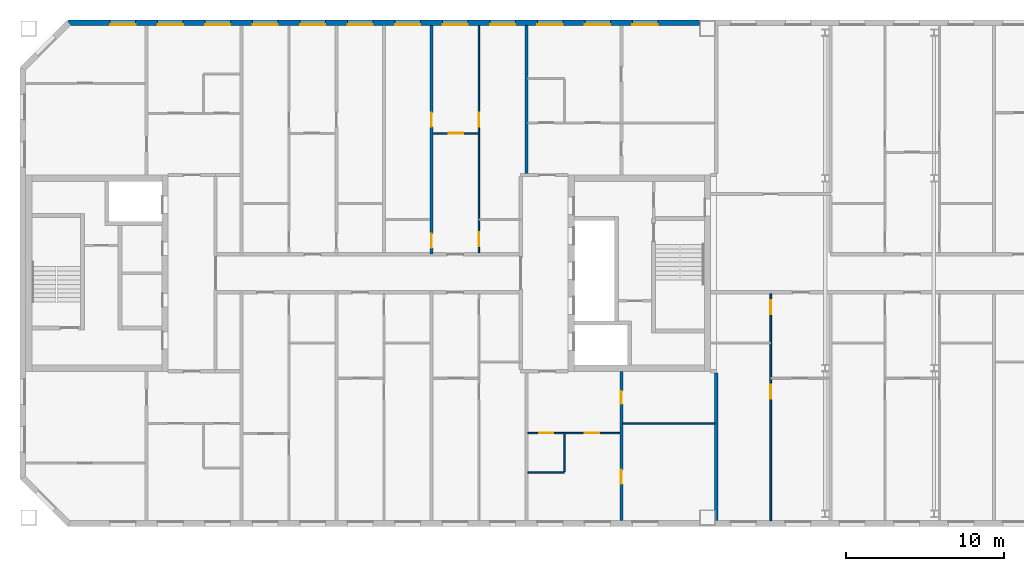
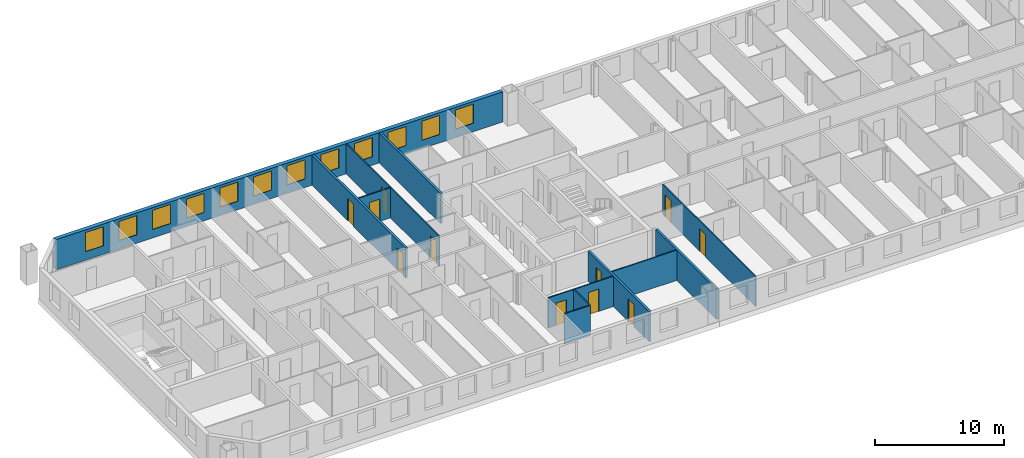
# One storey, part 7 of 19: 12 walls, 12 windows, 11 doors, 23 openings.
"""IFC4 building model written with IfcOpenShell, lengths in metres."""

from ifc_helpers import new_model, si_unit, direction, frame, frame_2d, origin, place, context, subcontext, project, spatial, rectangle, extrude, material, layer, layer_set, type_object, element, fill, save


model = new_model("IFC4")

# Units and contexts
model_context = context("Model", 3, precision=1e-05, world=origin(), true_north=direction((0.0, 1.0)))
body_context = subcontext(model_context, "Body", "Model", "MODEL_VIEW")
ifc_project = project(units=[si_unit("LENGTHUNIT", "METRE"), si_unit("AREAUNIT", "SQUARE_METRE"), si_unit("VOLUMEUNIT", "CUBIC_METRE"), si_unit("PLANEANGLEUNIT", "RADIAN"), si_unit("MASSUNIT", "GRAM", prefix="KILO")], contexts=[model_context])

# Site, building, storey
site_placement = place(None, origin())
site = spatial("IfcSite", under=ifc_project, at=site_placement, CompositionType="ELEMENT")
building_placement = place(site_placement, origin())
building = spatial("IfcBuilding", under=site, at=building_placement, Name="Tuart Gate Housing", CompositionType="ELEMENT")
storey_placement = place(building_placement, frame((0.0, 0.0, 202.800048828125)))
storey = spatial("IfcBuildingStorey", under=building, at=storey_placement, Name="L57", CompositionType="ELEMENT", Elevation=202.800048828125)

# Wall, openings, windows
ifc_material_1 = material(Name="Brick", Category="masonry")
ifc_layer_1 = layer(ifc_material_1, 0.360107421875)
ifc_layer_set_1 = layer_set([ifc_layer_1], Name="Brick pier and spandrel wall 360")
wall_type_1 = type_object("IfcWallType", Name="Brick pier and spandrel wall 360", PredefinedType="STANDARD", material=ifc_layer_set_1)
wall_1_placement = place(storey_placement, frame((74.949951171875, 85.820068359375, 0.0), z_axis=(0.0, 0.0, 1.0), x_axis=(-1.0, 0.0, 0.0)))
wall_1 = element("IfcWall", 1, at=wall_1_placement, inside=storey, type_object=wall_type_1, Name="External wall BLK-N L57", PredefinedType="STANDARD", context=body_context, shape_type="SweptSolid", body=[
    extrude(rectangle(XDim=39.87548828125, YDim=0.360107421875, at=frame_2d((19.937744140625, 0.0))), origin(), (0.0, 0.0, 1.0), 2.849853515625),
])
opening_1_placement = place(wall_1_placement, frame((2.64990234375, 0.0, 0.800048828125)))
opening_1 = element("IfcOpeningElement", 2, at=opening_1_placement, cuts=wall_1, Name="Opening W1", PredefinedType="OPENING", context=body_context, shape_type="SweptSolid", body=[
    extrude(rectangle(XDim=1.60009765625, YDim=1.800048828125, at=frame_2d((0.800048828125, 0.89990234375))), frame((0.0, 0.18994140625, 0.0), z_axis=(0.0, -1.0, 0.0), x_axis=(1.0, 0.0, 0.0)), (0.0, 0.0, 1.0), 0.380126953125),
])
opening_2_placement = place(wall_1_placement, frame((5.64990234375, 0.0, 0.800048828125)))
opening_2 = element("IfcOpeningElement", 3, at=opening_2_placement, cuts=wall_1, Name="Opening W1", PredefinedType="OPENING", context=body_context, shape_type="SweptSolid", body=[
    extrude(rectangle(XDim=1.60009765625, YDim=1.800048828125, at=frame_2d((0.800048828125, 0.89990234375))), frame((0.0, 0.18994140625, 0.0), z_axis=(0.0, -1.0, 0.0), x_axis=(1.0, 0.0, 0.0)), (0.0, 0.0, 1.0), 0.380126953125),
])
opening_3_placement = place(wall_1_placement, frame((8.64990234375, 0.0, 0.800048828125)))
opening_3 = element("IfcOpeningElement", 4, at=opening_3_placement, cuts=wall_1, Name="Opening W1", PredefinedType="OPENING", context=body_context, shape_type="SweptSolid", body=[
    extrude(rectangle(XDim=1.60009765625, YDim=1.800048828125, at=frame_2d((0.800048828125, 0.89990234375))), frame((0.0, 0.18994140625, 0.0), z_axis=(0.0, -1.0, 0.0), x_axis=(1.0, 0.0, 0.0)), (0.0, 0.0, 1.0), 0.380126953125),
])
opening_4_placement = place(wall_1_placement, frame((11.64990234375, 0.0, 0.800048828125)))
opening_4 = element("IfcOpeningElement", 5, at=opening_4_placement, cuts=wall_1, Name="Opening W1", PredefinedType="OPENING", context=body_context, shape_type="SweptSolid", body=[
    extrude(rectangle(XDim=1.60009765625, YDim=1.800048828125, at=frame_2d((0.800048828125, 0.89990234375))), frame((0.0, 0.18994140625, 0.0), z_axis=(0.0, -1.0, 0.0), x_axis=(1.0, 0.0, 0.0)), (0.0, 0.0, 1.0), 0.380126953125),
])
opening_5_placement = place(wall_1_placement, frame((14.64990234375, 0.0, 0.800048828125)))
opening_5 = element("IfcOpeningElement", 6, at=opening_5_placement, cuts=wall_1, Name="Opening W1", PredefinedType="OPENING", context=body_context, shape_type="SweptSolid", body=[
    extrude(rectangle(XDim=1.60009765625, YDim=1.800048828125, at=frame_2d((0.800048828125, 0.89990234375))), frame((0.0, 0.18994140625, 0.0), z_axis=(0.0, -1.0, 0.0), x_axis=(1.0, 0.0, 0.0)), (0.0, 0.0, 1.0), 0.380126953125),
])
opening_6_placement = place(wall_1_placement, frame((17.64990234375, 0.0, 0.800048828125)))
opening_6 = element("IfcOpeningElement", 7, at=opening_6_placement, cuts=wall_1, Name="Opening W1", PredefinedType="OPENING", context=body_context, shape_type="SweptSolid", body=[
    extrude(rectangle(XDim=1.60009765625, YDim=1.800048828125, at=frame_2d((0.800048828125, 0.89990234375))), frame((0.0, 0.18994140625, 0.0), z_axis=(0.0, -1.0, 0.0), x_axis=(1.0, 0.0, 0.0)), (0.0, 0.0, 1.0), 0.380126953125),
])
opening_7_placement = place(wall_1_placement, frame((20.64990234375, 0.0, 0.800048828125)))
opening_7 = element("IfcOpeningElement", 8, at=opening_7_placement, cuts=wall_1, Name="Opening W1", PredefinedType="OPENING", context=body_context, shape_type="SweptSolid", body=[
    extrude(rectangle(XDim=1.60009765625, YDim=1.800048828125, at=frame_2d((0.800048828125, 0.89990234375))), frame((0.0, 0.18994140625, 0.0), z_axis=(0.0, -1.0, 0.0), x_axis=(1.0, 0.0, 0.0)), (0.0, 0.0, 1.0), 0.380126953125),
])
opening_8_placement = place(wall_1_placement, frame((23.64990234375, 0.0, 0.800048828125)))
opening_8 = element("IfcOpeningElement", 9, at=opening_8_placement, cuts=wall_1, Name="Opening W1", PredefinedType="OPENING", context=body_context, shape_type="SweptSolid", body=[
    extrude(rectangle(XDim=1.60009765625, YDim=1.800048828125, at=frame_2d((0.800048828125, 0.89990234375))), frame((0.0, 0.18994140625, 0.0), z_axis=(0.0, -1.0, 0.0), x_axis=(1.0, 0.0, 0.0)), (0.0, 0.0, 1.0), 0.380126953125),
])
opening_9_placement = place(wall_1_placement, frame((26.64990234375, 0.0, 0.800048828125)))
opening_9 = element("IfcOpeningElement", 10, at=opening_9_placement, cuts=wall_1, Name="Opening W1", PredefinedType="OPENING", context=body_context, shape_type="SweptSolid", body=[
    extrude(rectangle(XDim=1.60009765625, YDim=1.800048828125, at=frame_2d((0.800048828125, 0.89990234375))), frame((0.0, 0.18994140625, 0.0), z_axis=(0.0, -1.0, 0.0), x_axis=(1.0, 0.0, 0.0)), (0.0, 0.0, 1.0), 0.380126953125),
])
opening_10_placement = place(wall_1_placement, frame((29.64990234375, 0.0, 0.800048828125)))
opening_10 = element("IfcOpeningElement", 11, at=opening_10_placement, cuts=wall_1, Name="Opening W1", PredefinedType="OPENING", context=body_context, shape_type="SweptSolid", body=[
    extrude(rectangle(XDim=1.60009765625, YDim=1.800048828125, at=frame_2d((0.800048828125, 0.89990234375))), frame((0.0, 0.18994140625, 0.0), z_axis=(0.0, -1.0, 0.0), x_axis=(1.0, 0.0, 0.0)), (0.0, 0.0, 1.0), 0.380126953125),
])
opening_11_placement = place(wall_1_placement, frame((32.64990234375, 0.0, 0.800048828125)))
opening_11 = element("IfcOpeningElement", 12, at=opening_11_placement, cuts=wall_1, Name="Opening W1", PredefinedType="OPENING", context=body_context, shape_type="SweptSolid", body=[
    extrude(rectangle(XDim=1.60009765625, YDim=1.800048828125, at=frame_2d((0.800048828125, 0.89990234375))), frame((0.0, 0.18994140625, 0.0), z_axis=(0.0, -1.0, 0.0), x_axis=(1.0, 0.0, 0.0)), (0.0, 0.0, 1.0), 0.380126953125),
])
opening_12_placement = place(wall_1_placement, frame((35.64990234375, 0.0, 0.800048828125)))
opening_12 = element("IfcOpeningElement", 13, at=opening_12_placement, cuts=wall_1, Name="Opening W1", PredefinedType="OPENING", context=body_context, shape_type="SweptSolid", body=[
    extrude(rectangle(XDim=1.60009765625, YDim=1.800048828125, at=frame_2d((0.800048828125, 0.89990234375))), frame((0.0, 0.18994140625, 0.0), z_axis=(0.0, -1.0, 0.0), x_axis=(1.0, 0.0, 0.0)), (0.0, 0.0, 1.0), 0.380126953125),
])
ifc_material_2 = material(Name="Aluminium frame with clear glass", Category="aluminium")
window_type = type_object("IfcWindowType", Name="Punched window 1600 x 1800", PartitioningType="SINGLE_PANEL", PredefinedType="WINDOW", material=ifc_material_2)
window_1_placement = place(opening_1_placement, origin())
window_1 = element("IfcWindow", 14, at=window_1_placement, inside=storey, type_object=window_type, Name="Window W1", OverallHeight=1.800048828125, OverallWidth=1.60009765625, PartitioningType="SINGLE_PANEL", PredefinedType="WINDOW", context=body_context, shape_type="SweptSolid", body=[
    extrude(rectangle(XDim=1.60009765625, YDim=1.800048828125, at=frame_2d((0.800048828125, 0.89990234375))), frame((0.0, 0.150146484375, 0.0), z_axis=(0.0, -1.0, 0.0), x_axis=(1.0, 0.0, 0.0)), (0.0, 0.0, 1.0), 0.06005859375),
])
fill(opening_1, window_1)
window_2_placement = place(opening_2_placement, origin())
window_2 = element("IfcWindow", 15, at=window_2_placement, inside=storey, type_object=window_type, Name="Window W1", OverallHeight=1.800048828125, OverallWidth=1.60009765625, PartitioningType="SINGLE_PANEL", PredefinedType="WINDOW", context=body_context, shape_type="SweptSolid", body=[
    extrude(rectangle(XDim=1.60009765625, YDim=1.800048828125, at=frame_2d((0.800048828125, 0.89990234375))), frame((0.0, 0.150146484375, 0.0), z_axis=(0.0, -1.0, 0.0), x_axis=(1.0, 0.0, 0.0)), (0.0, 0.0, 1.0), 0.06005859375),
])
fill(opening_2, window_2)
window_3_placement = place(opening_3_placement, origin())
window_3 = element("IfcWindow", 16, at=window_3_placement, inside=storey, type_object=window_type, Name="Window W1", OverallHeight=1.800048828125, OverallWidth=1.60009765625, PartitioningType="SINGLE_PANEL", PredefinedType="WINDOW", context=body_context, shape_type="SweptSolid", body=[
    extrude(rectangle(XDim=1.60009765625, YDim=1.800048828125, at=frame_2d((0.800048828125, 0.89990234375))), frame((0.0, 0.150146484375, 0.0), z_axis=(0.0, -1.0, 0.0), x_axis=(1.0, 0.0, 0.0)), (0.0, 0.0, 1.0), 0.06005859375),
])
fill(opening_3, window_3)
window_4_placement = place(opening_4_placement, origin())
window_4 = element("IfcWindow", 17, at=window_4_placement, inside=storey, type_object=window_type, Name="Window W1", OverallHeight=1.800048828125, OverallWidth=1.60009765625, PartitioningType="SINGLE_PANEL", PredefinedType="WINDOW", context=body_context, shape_type="SweptSolid", body=[
    extrude(rectangle(XDim=1.60009765625, YDim=1.800048828125, at=frame_2d((0.800048828125, 0.89990234375))), frame((0.0, 0.150146484375, 0.0), z_axis=(0.0, -1.0, 0.0), x_axis=(1.0, 0.0, 0.0)), (0.0, 0.0, 1.0), 0.06005859375),
])
fill(opening_4, window_4)
window_5_placement = place(opening_5_placement, origin())
window_5 = element("IfcWindow", 18, at=window_5_placement, inside=storey, type_object=window_type, Name="Window W1", OverallHeight=1.800048828125, OverallWidth=1.60009765625, PartitioningType="SINGLE_PANEL", PredefinedType="WINDOW", context=body_context, shape_type="SweptSolid", body=[
    extrude(rectangle(XDim=1.60009765625, YDim=1.800048828125, at=frame_2d((0.800048828125, 0.89990234375))), frame((0.0, 0.150146484375, 0.0), z_axis=(0.0, -1.0, 0.0), x_axis=(1.0, 0.0, 0.0)), (0.0, 0.0, 1.0), 0.06005859375),
])
fill(opening_5, window_5)
window_6_placement = place(opening_6_placement, origin())
window_6 = element("IfcWindow", 19, at=window_6_placement, inside=storey, type_object=window_type, Name="Window W1", OverallHeight=1.800048828125, OverallWidth=1.60009765625, PartitioningType="SINGLE_PANEL", PredefinedType="WINDOW", context=body_context, shape_type="SweptSolid", body=[
    extrude(rectangle(XDim=1.60009765625, YDim=1.800048828125, at=frame_2d((0.800048828125, 0.89990234375))), frame((0.0, 0.150146484375, 0.0), z_axis=(0.0, -1.0, 0.0), x_axis=(1.0, 0.0, 0.0)), (0.0, 0.0, 1.0), 0.06005859375),
])
fill(opening_6, window_6)
window_7_placement = place(opening_7_placement, origin())
window_7 = element("IfcWindow", 20, at=window_7_placement, inside=storey, type_object=window_type, Name="Window W1", OverallHeight=1.800048828125, OverallWidth=1.60009765625, PartitioningType="SINGLE_PANEL", PredefinedType="WINDOW", context=body_context, shape_type="SweptSolid", body=[
    extrude(rectangle(XDim=1.60009765625, YDim=1.800048828125, at=frame_2d((0.800048828125, 0.89990234375))), frame((0.0, 0.150146484375, 0.0), z_axis=(0.0, -1.0, 0.0), x_axis=(1.0, 0.0, 0.0)), (0.0, 0.0, 1.0), 0.06005859375),
])
fill(opening_7, window_7)
window_8_placement = place(opening_8_placement, origin())
window_8 = element("IfcWindow", 21, at=window_8_placement, inside=storey, type_object=window_type, Name="Window W1", OverallHeight=1.800048828125, OverallWidth=1.60009765625, PartitioningType="SINGLE_PANEL", PredefinedType="WINDOW", context=body_context, shape_type="SweptSolid", body=[
    extrude(rectangle(XDim=1.60009765625, YDim=1.800048828125, at=frame_2d((0.800048828125, 0.89990234375))), frame((0.0, 0.150146484375, 0.0), z_axis=(0.0, -1.0, 0.0), x_axis=(1.0, 0.0, 0.0)), (0.0, 0.0, 1.0), 0.06005859375),
])
fill(opening_8, window_8)
window_9_placement = place(opening_9_placement, origin())
window_9 = element("IfcWindow", 22, at=window_9_placement, inside=storey, type_object=window_type, Name="Window W1", OverallHeight=1.800048828125, OverallWidth=1.60009765625, PartitioningType="SINGLE_PANEL", PredefinedType="WINDOW", context=body_context, shape_type="SweptSolid", body=[
    extrude(rectangle(XDim=1.60009765625, YDim=1.800048828125, at=frame_2d((0.800048828125, 0.89990234375))), frame((0.0, 0.150146484375, 0.0), z_axis=(0.0, -1.0, 0.0), x_axis=(1.0, 0.0, 0.0)), (0.0, 0.0, 1.0), 0.06005859375),
])
fill(opening_9, window_9)
window_10_placement = place(opening_10_placement, origin())
window_10 = element("IfcWindow", 23, at=window_10_placement, inside=storey, type_object=window_type, Name="Window W1", OverallHeight=1.800048828125, OverallWidth=1.60009765625, PartitioningType="SINGLE_PANEL", PredefinedType="WINDOW", context=body_context, shape_type="SweptSolid", body=[
    extrude(rectangle(XDim=1.60009765625, YDim=1.800048828125, at=frame_2d((0.800048828125, 0.89990234375))), frame((0.0, 0.150146484375, 0.0), z_axis=(0.0, -1.0, 0.0), x_axis=(1.0, 0.0, 0.0)), (0.0, 0.0, 1.0), 0.06005859375),
])
fill(opening_10, window_10)
window_11_placement = place(opening_11_placement, origin())
window_11 = element("IfcWindow", 24, at=window_11_placement, inside=storey, type_object=window_type, Name="Window W1", OverallHeight=1.800048828125, OverallWidth=1.60009765625, PartitioningType="SINGLE_PANEL", PredefinedType="WINDOW", context=body_context, shape_type="SweptSolid", body=[
    extrude(rectangle(XDim=1.60009765625, YDim=1.800048828125, at=frame_2d((0.800048828125, 0.89990234375))), frame((0.0, 0.150146484375, 0.0), z_axis=(0.0, -1.0, 0.0), x_axis=(1.0, 0.0, 0.0)), (0.0, 0.0, 1.0), 0.06005859375),
])
fill(opening_11, window_11)
window_12_placement = place(opening_12_placement, origin())
window_12 = element("IfcWindow", 25, at=window_12_placement, inside=storey, type_object=window_type, Name="Window W1", OverallHeight=1.800048828125, OverallWidth=1.60009765625, PartitioningType="SINGLE_PANEL", PredefinedType="WINDOW", context=body_context, shape_type="SweptSolid", body=[
    extrude(rectangle(XDim=1.60009765625, YDim=1.800048828125, at=frame_2d((0.800048828125, 0.89990234375))), frame((0.0, 0.150146484375, 0.0), z_axis=(0.0, -1.0, 0.0), x_axis=(1.0, 0.0, 0.0)), (0.0, 0.0, 1.0), 0.06005859375),
])
fill(opening_12, window_12)

# Wall
ifc_material_3 = material(Name="Gypsum board on steel studs", Category="steel")
ifc_layer_2 = layer(ifc_material_3, 0.10009765625)
ifc_layer_set_2 = layer_set([ifc_layer_2], Name="Partition 100")
wall_type_2 = type_object("IfcWallType", Name="Partition 100", PredefinedType="PARTITIONING", material=ifc_layer_set_2)
wall_2_placement = place(storey_placement, frame((64.10009765625, 57.39990234375, 0.0), z_axis=(0.0, 0.0, 1.0), x_axis=(1.0, 0.0, 0.0)))
element("IfcWall", 26, at=wall_2_placement, inside=storey, type_object=wall_type_2, Name="Partition 100", PredefinedType="PARTITIONING", context=body_context, shape_type="SweptSolid", body=[
    extrude(rectangle(XDim=2.2998046875, YDim=0.10009765625, at=frame_2d((1.14990234375, 0.0))), origin(), (0.0, 0.0, 1.0), 2.849853515625),
])

# Wall, openings, doors
wall_3_placement = place(storey_placement, frame((64.10009765625, 59.89990234375, 0.0), z_axis=(0.0, 0.0, 1.0), x_axis=(1.0, 0.0, 0.0)))
wall_3 = element("IfcWall", 27, at=wall_3_placement, inside=storey, type_object=wall_type_2, Name="Partition 100", PredefinedType="PARTITIONING", context=body_context, shape_type="SweptSolid", body=[
    extrude(rectangle(XDim=5.7998046875, YDim=0.10009765625, at=frame_2d((2.89990234375, 0.0))), origin(), (0.0, 0.0, 1.0), 2.849853515625),
])
opening_13_placement = place(wall_3_placement, frame((3.60009765625, 0.0, 0.0)))
opening_13 = element("IfcOpeningElement", 28, at=opening_13_placement, cuts=wall_3, Name="Opening D1996", PredefinedType="OPENING", context=body_context, shape_type="SweptSolid", body=[
    extrude(rectangle(XDim=0.89990234375, YDim=2.10009765625, at=frame_2d((0.449951171875, 1.050048828125))), frame((0.0, 0.06005859375, 0.0), z_axis=(0.0, -1.0, 0.0), x_axis=(1.0, 0.0, 0.0)), (0.0, 0.0, 1.0), 0.1201171875),
])
opening_14_placement = place(wall_3_placement, frame((0.699951171875, 0.0, 0.0)))
opening_14 = element("IfcOpeningElement", 29, at=opening_14_placement, cuts=wall_3, Name="Opening D1995", PredefinedType="OPENING", context=body_context, shape_type="SweptSolid", body=[
    extrude(rectangle(XDim=0.89990234375, YDim=2.10009765625, at=frame_2d((0.449951171875, 1.050048828125))), frame((0.0, 0.06005859375, 0.0), z_axis=(0.0, -1.0, 0.0), x_axis=(1.0, 0.0, 0.0)), (0.0, 0.0, 1.0), 0.1201171875),
])
ifc_material_4 = material(Name="Timber door leaf in steel frame", Category="steel")
door_type_1 = type_object("IfcDoorType", Name="Bathroom door 900", OperationType="SINGLE_SWING_LEFT", PredefinedType="DOOR", material=ifc_material_4)
door_1_placement = place(opening_14_placement, frame((0.89990234375, 0.0, 0.0), z_axis=(0.0, 0.0, 1.0), x_axis=(-1.0, 0.0, 0.0)))
door_1 = element("IfcDoor", 30, at=door_1_placement, inside=storey, type_object=door_type_1, Name="Bathroom door", OperationType="SINGLE_SWING_LEFT", OverallHeight=2.10009765625, OverallWidth=0.89990234375, PredefinedType="DOOR", context=body_context, shape_type="SweptSolid", body=[
    extrude(rectangle(XDim=0.89990234375, YDim=2.10009765625, at=frame_2d((0.449951171875, 1.050048828125))), frame((0.0, 0.025146484375, 0.0), z_axis=(0.0, -1.0, 0.0), x_axis=(1.0, 0.0, 0.0)), (0.0, 0.0, 1.0), 0.050048828125),
])
fill(opening_14, door_1)
ifc_material_5 = material(Name="Timber door leaf in steel frame", Category="steel")
door_type_2 = type_object("IfcDoorType", Name="Internal door 900 RH", OperationType="SINGLE_SWING_RIGHT", PredefinedType="DOOR", material=ifc_material_5)
door_2_placement = place(opening_13_placement, origin())
door_2 = element("IfcDoor", 31, at=door_2_placement, inside=storey, type_object=door_type_2, Name="Internal door", OperationType="SINGLE_SWING_RIGHT", OverallHeight=2.10009765625, OverallWidth=0.89990234375, PredefinedType="DOOR", context=body_context, shape_type="SweptSolid", body=[
    extrude(rectangle(XDim=0.89990234375, YDim=2.10009765625, at=frame_2d((0.449951171875, 1.050048828125))), frame((0.0, 0.02490234375, 0.0), z_axis=(0.0, -1.0, 0.0), x_axis=(1.0, 0.0, 0.0)), (0.0, 0.0, 1.0), 0.050048828125),
])
fill(opening_13, door_2)

# Wall
wall_4_placement = place(storey_placement, frame((70.10009765625, 60.5, 0.0), z_axis=(0.0, 0.0, 1.0), x_axis=(1.0, 0.0, 0.0)))
element("IfcWall", 32, at=wall_4_placement, inside=storey, type_object=wall_type_2, Name="Partition 100", PredefinedType="PARTITIONING", context=body_context, shape_type="SweptSolid", body=[
    extrude(rectangle(XDim=5.7998046875, YDim=0.10009765625, at=frame_2d((2.89990234375, 0.0))), origin(), (0.0, 0.0, 1.0), 2.849853515625),
])

# Wall, opening, door
wall_5_placement = place(storey_placement, frame((58.10009765625, 78.840087890625, 0.0), z_axis=(0.0, 0.0, 1.0), x_axis=(1.0, 0.0, 0.0)))
wall_5 = element("IfcWall", 33, at=wall_5_placement, inside=storey, type_object=wall_type_2, Name="Partition 100", PredefinedType="PARTITIONING", context=body_context, shape_type="SweptSolid", body=[
    extrude(rectangle(XDim=2.89990234375, YDim=0.10009765625, at=frame_2d((1.449951171875, 0.0))), origin(), (0.0, 0.0, 1.0), 2.849853515625),
])
opening_15_placement = place(wall_5_placement, frame((1.0, 0.0, 0.0)))
opening_15 = element("IfcOpeningElement", 34, at=opening_15_placement, cuts=wall_5, Name="Opening D1955", PredefinedType="OPENING", context=body_context, shape_type="SweptSolid", body=[
    extrude(rectangle(XDim=0.89990234375, YDim=2.10009765625, at=frame_2d((0.449951171875, 1.050048828125))), frame((0.0, 0.06005859375, 0.0), z_axis=(0.0, -1.0, 0.0), x_axis=(1.0, 0.0, 0.0)), (0.0, 0.0, 1.0), 0.1201171875),
])
ifc_material_6 = material(Name="Timber door leaf in steel frame", Category="steel")
door_type_3 = type_object("IfcDoorType", Name="Internal door 900", OperationType="SINGLE_SWING_LEFT", PredefinedType="DOOR", material=ifc_material_6)
door_3_placement = place(opening_15_placement, frame((0.89990234375, 0.0, 0.0), z_axis=(0.0, 0.0, 1.0), x_axis=(-1.0, 0.0, 0.0)))
door_3 = element("IfcDoor", 35, at=door_3_placement, inside=storey, type_object=door_type_3, Name="Internal door", OperationType="SINGLE_SWING_LEFT", OverallHeight=2.10009765625, OverallWidth=0.89990234375, PredefinedType="DOOR", context=body_context, shape_type="SweptSolid", body=[
    extrude(rectangle(XDim=0.89990234375, YDim=2.10009765625, at=frame_2d((0.449951171875, 1.050048828125))), frame((0.0, 0.025146484375, 0.0), z_axis=(0.0, -1.0, 0.0), x_axis=(1.0, 0.0, 0.0)), (0.0, 0.0, 1.0), 0.050048828125),
])
fill(opening_15, door_3)

# Wall, openings, doors
wall_6_placement = place(storey_placement, frame((61.0, 71.300048828125, 0.0), z_axis=(0.0, 0.0, 1.0), x_axis=(0.0, 1.0, 0.0)))
wall_6 = element("IfcWall", 36, at=wall_6_placement, inside=storey, type_object=wall_type_2, Name="Partition 100", PredefinedType="PARTITIONING", context=body_context, shape_type="SweptSolid", body=[
    extrude(rectangle(XDim=14.33984375, YDim=0.10009765625, at=frame_2d((7.169921875, 0.0))), origin(), (0.0, 0.0, 1.0), 2.849853515625),
])
opening_16_placement = place(wall_6_placement, frame((7.93994140625, 0.0, 0.0)))
opening_16 = element("IfcOpeningElement", 37, at=opening_16_placement, cuts=wall_6, Name="Opening D1959", PredefinedType="OPENING", context=body_context, shape_type="SweptSolid", body=[
    extrude(rectangle(XDim=0.89990234375, YDim=2.10009765625, at=frame_2d((0.449951171875, 1.050048828125))), frame((0.0, 0.06005859375, 0.0), z_axis=(0.0, -1.0, 0.0), x_axis=(1.0, 0.0, 0.0)), (0.0, 0.0, 1.0), 0.1201171875),
])
opening_17_placement = place(wall_6_placement, frame((0.39990234375, 0.0, 0.0)))
opening_17 = element("IfcOpeningElement", 38, at=opening_17_placement, cuts=wall_6, Name="Opening D1958", PredefinedType="OPENING", context=body_context, shape_type="SweptSolid", body=[
    extrude(rectangle(XDim=0.89990234375, YDim=2.10009765625, at=frame_2d((0.449951171875, 1.050048828125))), frame((0.0, 0.06005859375, 0.0), z_axis=(0.0, -1.0, 0.0), x_axis=(1.0, 0.0, 0.0)), (0.0, 0.0, 1.0), 0.1201171875),
])
ifc_material_7 = material(Name="Timber door leaf in steel frame", Category="steel")
door_type_4 = type_object("IfcDoorType", Name="Bathroom door 900 RH", OperationType="SINGLE_SWING_RIGHT", PredefinedType="DOOR", material=ifc_material_7)
door_4_placement = place(opening_17_placement, frame((0.89990234375, 0.0, 0.0), z_axis=(0.0, 0.0, 1.0), x_axis=(-1.0, 0.0, 0.0)))
door_4 = element("IfcDoor", 39, at=door_4_placement, inside=storey, type_object=door_type_4, Name="Bathroom door", OperationType="SINGLE_SWING_RIGHT", OverallHeight=2.10009765625, OverallWidth=0.89990234375, PredefinedType="DOOR", context=body_context, shape_type="SweptSolid", body=[
    extrude(rectangle(XDim=0.89990234375, YDim=2.10009765625, at=frame_2d((0.449951171875, 1.050048828125))), frame((0.0, 0.025146484375, 0.0), z_axis=(0.0, -1.0, 0.0), x_axis=(1.0, 0.0, 0.0)), (0.0, 0.0, 1.0), 0.050048828125),
])
fill(opening_17, door_4)
door_5_placement = place(opening_16_placement, frame((0.89990234375, 0.0, 0.0), z_axis=(0.0, 0.0, 1.0), x_axis=(-1.0, 0.0, 0.0)))
door_5 = element("IfcDoor", 40, at=door_5_placement, inside=storey, type_object=door_type_3, Name="Internal door", OperationType="SINGLE_SWING_LEFT", OverallHeight=2.10009765625, OverallWidth=0.89990234375, PredefinedType="DOOR", context=body_context, shape_type="SweptSolid", body=[
    extrude(rectangle(XDim=0.89990234375, YDim=2.10009765625, at=frame_2d((0.449951171875, 1.050048828125))), frame((0.0, 0.025146484375, 0.0), z_axis=(0.0, -1.0, 0.0), x_axis=(1.0, 0.0, 0.0)), (0.0, 0.0, 1.0), 0.050048828125),
])
fill(opening_16, door_5)

# Wall
wall_7_placement = place(storey_placement, frame((66.39990234375, 57.449951171875, 0.0), z_axis=(0.0, 0.0, 1.0), x_axis=(0.0, 1.0, 0.0)))
element("IfcWall", 41, at=wall_7_placement, inside=storey, type_object=wall_type_2, Name="Partition 100", PredefinedType="PARTITIONING", context=body_context, shape_type="SweptSolid", body=[
    extrude(rectangle(XDim=2.400146484375, YDim=0.10009765625, at=frame_2d((1.2001953125, 0.0))), origin(), (0.0, 0.0, 1.0), 2.849853515625),
])

# Wall, openings, doors
wall_8_placement = place(storey_placement, frame((79.43798828125, 54.360107421875, 0.0), z_axis=(0.0, 0.0, 1.0), x_axis=(0.0, 1.0, 0.0)))
wall_8 = element("IfcWall", 42, at=wall_8_placement, inside=storey, type_object=wall_type_2, Name="Partition 100", PredefinedType="PARTITIONING", context=body_context, shape_type="SweptSolid", body=[
    extrude(rectangle(XDim=14.33984375, YDim=0.10009765625, at=frame_2d((7.169921875, 0.0))), origin(), (0.0, 0.0, 1.0), 2.849853515625),
])
opening_18_placement = place(wall_8_placement, frame((7.699951171875, 0.0, 0.0)))
opening_18 = element("IfcOpeningElement", 43, at=opening_18_placement, cuts=wall_8, Name="Opening D2040", PredefinedType="OPENING", context=body_context, shape_type="SweptSolid", body=[
    extrude(rectangle(XDim=0.89990234375, YDim=2.10009765625, at=frame_2d((0.449951171875, 1.050048828125))), frame((0.0, 0.06005859375, 0.0), z_axis=(0.0, -1.0, 0.0), x_axis=(1.0, 0.0, 0.0)), (0.0, 0.0, 1.0), 0.1201171875),
])
opening_19_placement = place(wall_8_placement, frame((13.0400390625, 0.0, 0.0)))
opening_19 = element("IfcOpeningElement", 44, at=opening_19_placement, cuts=wall_8, Name="Opening D2039", PredefinedType="OPENING", context=body_context, shape_type="SweptSolid", body=[
    extrude(rectangle(XDim=0.89990234375, YDim=2.10009765625, at=frame_2d((0.449951171875, 1.050048828125))), frame((0.0, 0.06005859375, 0.0), z_axis=(0.0, -1.0, 0.0), x_axis=(1.0, 0.0, 0.0)), (0.0, 0.0, 1.0), 0.1201171875),
])
door_6_placement = place(opening_19_placement, origin())
door_6 = element("IfcDoor", 45, at=door_6_placement, inside=storey, type_object=door_type_4, Name="Bathroom door", OperationType="SINGLE_SWING_RIGHT", OverallHeight=2.10009765625, OverallWidth=0.89990234375, PredefinedType="DOOR", context=body_context, shape_type="SweptSolid", body=[
    extrude(rectangle(XDim=0.89990234375, YDim=2.10009765625, at=frame_2d((0.449951171875, 1.050048828125))), frame((0.0, 0.02490234375, 0.0), z_axis=(0.0, -1.0, 0.0), x_axis=(1.0, 0.0, 0.0)), (0.0, 0.0, 1.0), 0.050048828125),
])
fill(opening_19, door_6)
door_7_placement = place(opening_18_placement, origin())
door_7 = element("IfcDoor", 46, at=door_7_placement, inside=storey, type_object=door_type_2, Name="Internal door", OperationType="SINGLE_SWING_RIGHT", OverallHeight=2.10009765625, OverallWidth=0.89990234375, PredefinedType="DOOR", context=body_context, shape_type="SweptSolid", body=[
    extrude(rectangle(XDim=0.89990234375, YDim=2.10009765625, at=frame_2d((0.449951171875, 1.050048828125))), frame((0.0, 0.02490234375, 0.0), z_axis=(0.0, -1.0, 0.0), x_axis=(1.0, 0.0, 0.0)), (0.0, 0.0, 1.0), 0.050048828125),
])
fill(opening_18, door_7)

ifc_material_8 = material(Name="Concrete C40", Category="concrete")
ifc_layer_3 = layer(ifc_material_8, 0.199951171875)
ifc_layer_set_3 = layer_set([ifc_layer_3], Name="Party wall concrete C40 200")
wall_type_3 = type_object("IfcWallType", Name="Party wall concrete C40 200", PredefinedType="SOLIDWALL", material=ifc_layer_set_3)
wall_9_placement = place(storey_placement, frame((58.0, 71.199951171875, 0.0), z_axis=(0.0, 0.0, 1.0), x_axis=(0.0, 1.0, 0.0)))
wall_9 = element("IfcWall", 47, at=wall_9_placement, inside=storey, type_object=wall_type_3, Name="Party wall concrete C40 200", PredefinedType="SOLIDWALL", context=body_context, shape_type="SweptSolid", body=[
    extrude(rectangle(XDim=14.43994140625, YDim=0.199951171875, at=frame_2d((7.219970703125, 0.0))), origin(), (0.0, 0.0, 1.0), 2.849853515625),
])
opening_20_placement = place(wall_9_placement, frame((8.0400390625, 0.0, 0.0)))
opening_20 = element("IfcOpeningElement", 48, at=opening_20_placement, cuts=wall_9, Name="Opening D1963", PredefinedType="OPENING", context=body_context, shape_type="SweptSolid", body=[
    extrude(rectangle(XDim=0.89990234375, YDim=2.10009765625, at=frame_2d((0.449951171875, 1.050048828125))), frame((0.0, 0.10986328125, 0.0), z_axis=(0.0, -1.0, 0.0), x_axis=(1.0, 0.0, 0.0)), (0.0, 0.0, 1.0), 0.219970703125),
])
opening_21_placement = place(wall_9_placement, frame((0.39990234375, 0.0, 0.0)))
opening_21 = element("IfcOpeningElement", 49, at=opening_21_placement, cuts=wall_9, Name="Opening D1962", PredefinedType="OPENING", context=body_context, shape_type="SweptSolid", body=[
    extrude(rectangle(XDim=0.89990234375, YDim=2.10009765625, at=frame_2d((0.449951171875, 1.050048828125))), frame((0.0, 0.10986328125, 0.0), z_axis=(0.0, -1.0, 0.0), x_axis=(1.0, 0.0, 0.0)), (0.0, 0.0, 1.0), 0.219970703125),
])
door_8_placement = place(opening_21_placement, origin())
door_8 = element("IfcDoor", 50, at=door_8_placement, inside=storey, type_object=door_type_1, Name="Bathroom door", OperationType="SINGLE_SWING_LEFT", OverallHeight=2.10009765625, OverallWidth=0.89990234375, PredefinedType="DOOR", context=body_context, shape_type="SweptSolid", body=[
    extrude(rectangle(XDim=0.89990234375, YDim=2.10009765625, at=frame_2d((0.449951171875, 1.050048828125))), frame((0.0, 0.02490234375, 0.0), z_axis=(0.0, -1.0, 0.0), x_axis=(1.0, 0.0, 0.0)), (0.0, 0.0, 1.0), 0.050048828125),
])
fill(opening_21, door_8)
door_9_placement = place(opening_20_placement, origin())
door_9 = element("IfcDoor", 51, at=door_9_placement, inside=storey, type_object=door_type_2, Name="Internal door", OperationType="SINGLE_SWING_RIGHT", OverallHeight=2.10009765625, OverallWidth=0.89990234375, PredefinedType="DOOR", context=body_context, shape_type="SweptSolid", body=[
    extrude(rectangle(XDim=0.89990234375, YDim=2.10009765625, at=frame_2d((0.449951171875, 1.050048828125))), frame((0.0, 0.02490234375, 0.0), z_axis=(0.0, -1.0, 0.0), x_axis=(1.0, 0.0, 0.0)), (0.0, 0.0, 1.0), 0.050048828125),
])
fill(opening_20, door_9)

# Wall
wall_10_placement = place(storey_placement, frame((64.0, 76.199951171875, 0.0), z_axis=(0.0, 0.0, 1.0), x_axis=(0.0, 1.0, 0.0)))
element("IfcWall", 52, at=wall_10_placement, inside=storey, type_object=wall_type_3, Name="Party wall concrete C40 200", PredefinedType="SOLIDWALL", context=body_context, shape_type="SweptSolid", body=[
    extrude(rectangle(XDim=9.43994140625, YDim=0.199951171875, at=frame_2d((4.719970703125, 0.0))), origin(), (0.0, 0.0, 1.0), 2.849853515625),
])

# Wall, openings, doors
wall_11_placement = place(storey_placement, frame((70.0, 54.360107421875, 0.0), z_axis=(0.0, 0.0, 1.0), x_axis=(0.0, 1.0, 0.0)))
wall_11 = element("IfcWall", 53, at=wall_11_placement, inside=storey, type_object=wall_type_3, Name="Party wall concrete C40 200", PredefinedType="SOLIDWALL", context=body_context, shape_type="SweptSolid", body=[
    extrude(rectangle(XDim=9.43994140625, YDim=0.199951171875, at=frame_2d((4.719970703125, 0.0))), origin(), (0.0, 0.0, 1.0), 2.849853515625),
])
opening_22_placement = place(wall_11_placement, frame((2.320068359375, 0.0, 0.0)))
opening_22 = element("IfcOpeningElement", 54, at=opening_22_placement, cuts=wall_11, Name="Opening D1999", PredefinedType="OPENING", context=body_context, shape_type="SweptSolid", body=[
    extrude(rectangle(XDim=0.89990234375, YDim=2.10009765625, at=frame_2d((0.449951171875, 1.050048828125))), frame((0.0, 0.10986328125, 0.0), z_axis=(0.0, -1.0, 0.0), x_axis=(1.0, 0.0, 0.0)), (0.0, 0.0, 1.0), 0.219970703125),
])
opening_23_placement = place(wall_11_placement, frame((7.389892578125, 0.0, 0.0)))
opening_23 = element("IfcOpeningElement", 55, at=opening_23_placement, cuts=wall_11, Name="Opening D2000", PredefinedType="OPENING", context=body_context, shape_type="SweptSolid", body=[
    extrude(rectangle(XDim=0.800048828125, YDim=2.10009765625, at=frame_2d((0.39990234375, 1.050048828125))), frame((0.0, 0.10986328125, 0.0), z_axis=(0.0, -1.0, 0.0), x_axis=(1.0, 0.0, 0.0)), (0.0, 0.0, 1.0), 0.219970703125),
])
door_10_placement = place(opening_22_placement, frame((0.89990234375, 0.0, 0.0), z_axis=(0.0, 0.0, 1.0), x_axis=(-1.0, 0.0, 0.0)))
door_10 = element("IfcDoor", 56, at=door_10_placement, inside=storey, type_object=door_type_2, Name="Internal door", OperationType="SINGLE_SWING_RIGHT", OverallHeight=2.10009765625, OverallWidth=0.89990234375, PredefinedType="DOOR", context=body_context, shape_type="SweptSolid", body=[
    extrude(rectangle(XDim=0.89990234375, YDim=2.10009765625, at=frame_2d((0.449951171875, 1.050048828125))), frame((0.0, 0.025146484375, 0.0), z_axis=(0.0, -1.0, 0.0), x_axis=(1.0, 0.0, 0.0)), (0.0, 0.0, 1.0), 0.050048828125),
])
fill(opening_22, door_10)
ifc_material_9 = material(Name="Timber door leaf in steel frame", Category="steel")
door_type_5 = type_object("IfcDoorType", Name="Store door 800 RH", OperationType="SINGLE_SWING_RIGHT", PredefinedType="DOOR", material=ifc_material_9)
door_11_placement = place(opening_23_placement, frame((0.800048828125, 0.0, 0.0), z_axis=(0.0, 0.0, 1.0), x_axis=(-1.0, 0.0, 0.0)))
door_11 = element("IfcDoor", 57, at=door_11_placement, inside=storey, type_object=door_type_5, Name="Store door", OperationType="SINGLE_SWING_RIGHT", OverallHeight=2.10009765625, OverallWidth=0.800048828125, PredefinedType="DOOR", context=body_context, shape_type="SweptSolid", body=[
    extrude(rectangle(XDim=0.800048828125, YDim=2.10009765625, at=frame_2d((0.400146484375, 1.050048828125))), frame((0.0, 0.025146484375, 0.0), z_axis=(0.0, -1.0, 0.0), x_axis=(1.0, 0.0, 0.0)), (0.0, 0.0, 1.0), 0.050048828125),
])
fill(opening_23, door_11)

# Wall
ifc_material_10 = material(Name="Concrete masonry 15 MPa", Category="masonry")
ifc_layer_4 = layer(ifc_material_10, 0.199951171875)
ifc_layer_set_4 = layer_set([ifc_layer_4], Name="Party wall masonry 200")
wall_type_4 = type_object("IfcWallType", Name="Party wall masonry 200", PredefinedType="PARTITIONING", material=ifc_layer_set_4)
wall_12_placement = place(storey_placement, frame((76.0, 54.360107421875, 0.0), z_axis=(0.0, 0.0, 1.0), x_axis=(0.0, 1.0, 0.0)))
element("IfcWall", 58, at=wall_12_placement, inside=storey, type_object=wall_type_4, Name="Party wall masonry 200", PredefinedType="PARTITIONING", context=body_context, shape_type="SweptSolid", body=[
    extrude(rectangle(XDim=9.33984375, YDim=0.199951171875, at=frame_2d((4.669921875, 0.0))), origin(), (0.0, 0.0, 1.0), 2.849853515625),
])

save(model, "model.ifc")
